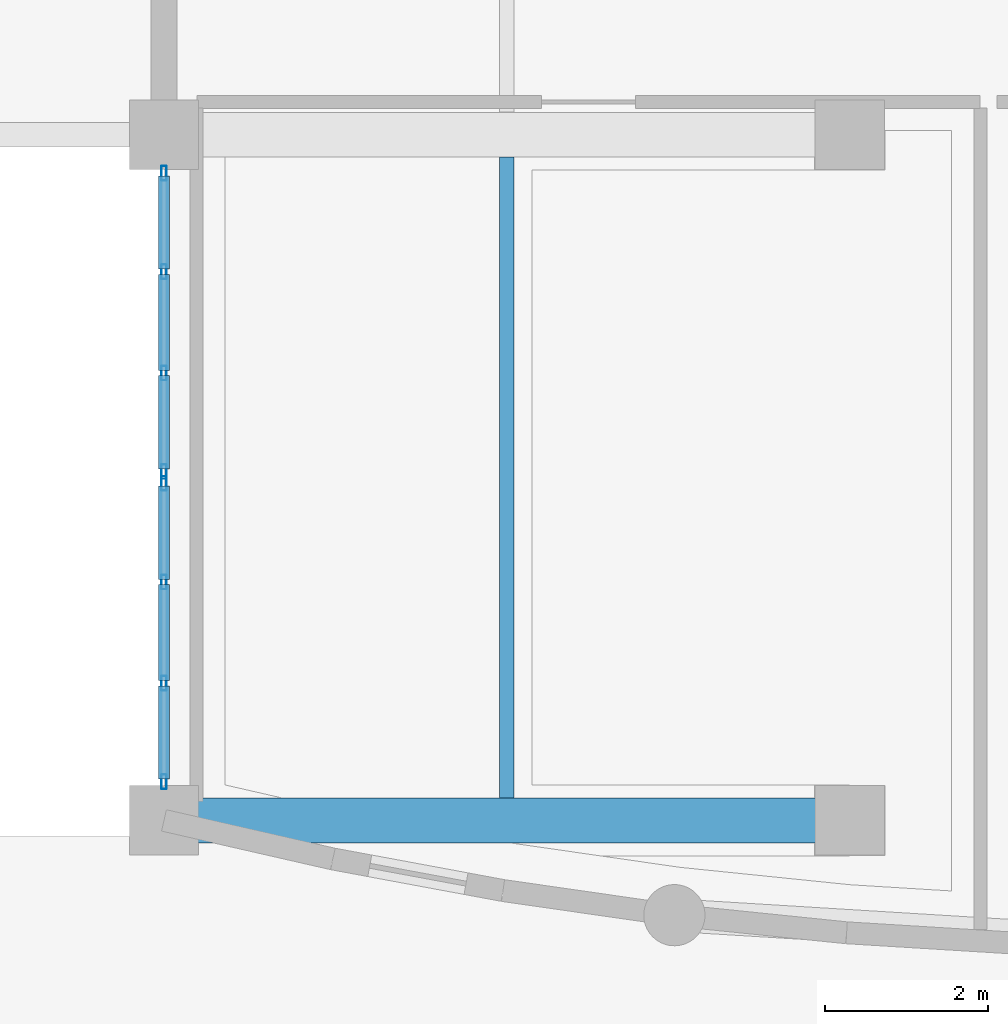
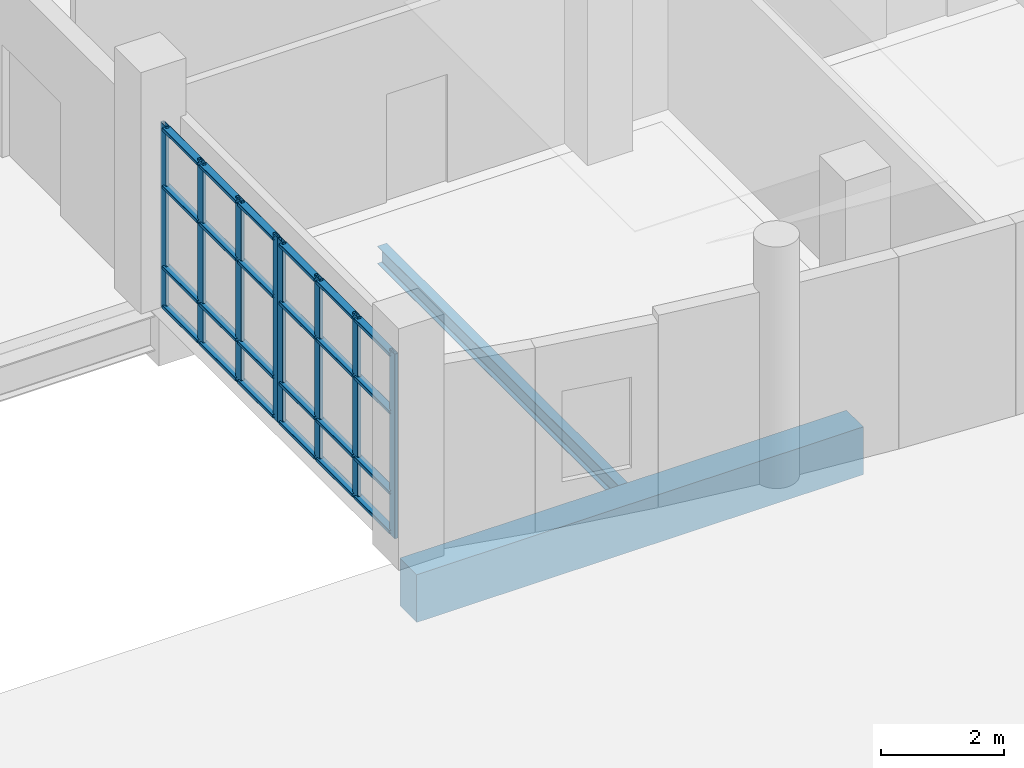
# One storey, part 29 of 97: 32 members, 2 beams, 2 elements without a shape of their own.
"""IFC4 building model written with IfcOpenShell, lengths in metres."""

from ifc_helpers import new_model, si_unit, direction, frame, origin, origin_2d, place, context, subcontext, project, spatial, rectangle, hollow_rectangle, i_section, extrude, material, layer, layer_set, material_profile, profile_set, type_object, element, aggregate, save


model = new_model("IFC4")

# Units and contexts
model_context = context("Model", 3, precision=1e-05, world=origin(), true_north=direction((0.0, 1.0)))
body_context = subcontext(model_context, "Body", "Model", "MODEL_VIEW")
ifc_project = project(units=[si_unit("LENGTHUNIT", "METRE"), si_unit("AREAUNIT", "SQUARE_METRE"), si_unit("VOLUMEUNIT", "CUBIC_METRE"), si_unit("PLANEANGLEUNIT", "RADIAN"), si_unit("MASSUNIT", "GRAM", prefix="KILO")], contexts=[model_context])

# Site, building, storey
site_placement = place(None, origin())
site = spatial("IfcSite", under=ifc_project, at=site_placement, CompositionType="ELEMENT")
building_placement = place(site_placement, origin())
building = spatial("IfcBuilding", under=site, at=building_placement, Name="Kisaragi Civic Commons", CompositionType="ELEMENT")
storey_placement = place(building_placement, origin())
storey = spatial("IfcBuildingStorey", under=building, at=storey_placement, Name="L00", CompositionType="ELEMENT", Elevation=0.0)

# Curtain wall, members
ifc_material_1 = material(Name="Thermally broken anodized aluminium and low-E double glazing", Category="aluminium")
ifc_layer = layer(ifc_material_1, 0.179931640625, Name="Thermally broken anodized aluminium and low-E double glazing", Category="aluminium")
ifc_layer_set = layer_set([ifc_layer], Name="Thermally broken anodized aluminium and low-E double glazing")
curtain_wall_type = type_object("IfcCurtainWallType", Name="CW-01", PredefinedType="NOTDEFINED", material=ifc_layer_set)
curtain_wall_1_placement = place(storey_placement, origin())
curtain_wall_1 = element("IfcCurtainWall", 1, at=curtain_wall_1_placement, inside=storey, type_object=curtain_wall_type, Name="L00 curtain wall CW-01 CW-V4-L00-055", PredefinedType="NOTDEFINED")
ifc_material_profile_1 = material_profile(ifc_material_1, hollow_rectangle(XDim=0.06494140625, YDim=0.179931640625, WallThickness=0.00439453125, InnerFilletRadius=0.00439453125, OuterFilletRadius=0.009033203125, at=origin_2d()), Name="CWM-65x180x4.5", Category="aluminium")
ifc_profile_set_1 = profile_set([ifc_material_profile_1], Name="Thermally broken anodized aluminium and low-E double glazing")
member_type_1 = type_object("IfcMemberType", Name="CWM-02", PredefinedType="MULLION", material=ifc_profile_set_1)
member_1_placement = place(storey_placement, frame((72.0, 96.472412109375, 0.0), z_axis=(0.0, 0.0, 1.0), x_axis=(-1.0, 0.0, 0.0)))
member_1 = element("IfcMember", 2, at=member_1_placement, type_object=member_type_1, Name="CW-01 mullion 1", PredefinedType="MULLION", context=body_context, shape_type="SweptSolid", body=[
    extrude(hollow_rectangle(XDim=0.06494140625, YDim=0.179931640625, WallThickness=0.00439453125, InnerFilletRadius=0.00439453125, OuterFilletRadius=0.009033203125, at=origin_2d()), origin(), (0.0, 0.0, 1.0), 3.669921875),
])
member_2_placement = place(storey_placement, frame((72.0, 97.679931640625, 0.0), z_axis=(0.0, 0.0, 1.0), x_axis=(-1.0, 0.0, 0.0)))
member_2 = element("IfcMember", 3, at=member_2_placement, type_object=member_type_1, Name="CW-01 mullion 2", PredefinedType="MULLION", context=body_context, shape_type="SweptSolid", body=[
    extrude(hollow_rectangle(XDim=0.06494140625, YDim=0.179931640625, WallThickness=0.00439453125, InnerFilletRadius=0.00439453125, OuterFilletRadius=0.009033203125, at=origin_2d()), origin(), (0.0, 0.0, 1.0), 3.669921875),
])
member_3_placement = place(storey_placement, frame((72.0, 98.919921875, 0.0), z_axis=(0.0, 0.0, 1.0), x_axis=(-1.0, 0.0, 0.0)))
member_3 = element("IfcMember", 4, at=member_3_placement, type_object=member_type_1, Name="CW-01 mullion 3", PredefinedType="MULLION", context=body_context, shape_type="SweptSolid", body=[
    extrude(hollow_rectangle(XDim=0.06494140625, YDim=0.179931640625, WallThickness=0.00439453125, InnerFilletRadius=0.00439453125, OuterFilletRadius=0.009033203125, at=origin_2d()), origin(), (0.0, 0.0, 1.0), 3.669921875),
])
member_4_placement = place(storey_placement, frame((72.0, 100.12744140625, 0.0), z_axis=(0.0, 0.0, 1.0), x_axis=(-1.0, 0.0, 0.0)))
member_4 = element("IfcMember", 5, at=member_4_placement, type_object=member_type_1, Name="CW-01 mullion 4", PredefinedType="MULLION", context=body_context, shape_type="SweptSolid", body=[
    extrude(hollow_rectangle(XDim=0.06494140625, YDim=0.179931640625, WallThickness=0.00439453125, InnerFilletRadius=0.00439453125, OuterFilletRadius=0.009033203125, at=origin_2d()), origin(), (0.0, 0.0, 1.0), 3.669921875),
])

curtain_wall_2_placement = place(storey_placement, origin())
curtain_wall_2 = element("IfcCurtainWall", 6, at=curtain_wall_2_placement, inside=storey, type_object=curtain_wall_type, Name="L00 curtain wall CW-01 CW-V4-L00-056", PredefinedType="NOTDEFINED")
member_5_placement = place(storey_placement, frame((72.0, 100.2724609375, 0.0), z_axis=(0.0, 0.0, 1.0), x_axis=(-1.0, 0.0, 0.0)))
member_5 = element("IfcMember", 7, at=member_5_placement, type_object=member_type_1, Name="CW-01 mullion 1", PredefinedType="MULLION", context=body_context, shape_type="SweptSolid", body=[
    extrude(hollow_rectangle(XDim=0.06494140625, YDim=0.179931640625, WallThickness=0.00439453125, InnerFilletRadius=0.00439453125, OuterFilletRadius=0.009033203125, at=origin_2d()), origin(), (0.0, 0.0, 1.0), 3.669921875),
])
member_6_placement = place(storey_placement, frame((72.0, 101.47998046875, 0.0), z_axis=(0.0, 0.0, 1.0), x_axis=(-1.0, 0.0, 0.0)))
member_6 = element("IfcMember", 8, at=member_6_placement, type_object=member_type_1, Name="CW-01 mullion 2", PredefinedType="MULLION", context=body_context, shape_type="SweptSolid", body=[
    extrude(hollow_rectangle(XDim=0.06494140625, YDim=0.179931640625, WallThickness=0.00439453125, InnerFilletRadius=0.00439453125, OuterFilletRadius=0.009033203125, at=origin_2d()), origin(), (0.0, 0.0, 1.0), 3.669921875),
])
member_7_placement = place(storey_placement, frame((72.0, 102.719970703125, 0.0), z_axis=(0.0, 0.0, 1.0), x_axis=(-1.0, 0.0, 0.0)))
member_7 = element("IfcMember", 9, at=member_7_placement, type_object=member_type_1, Name="CW-01 mullion 3", PredefinedType="MULLION", context=body_context, shape_type="SweptSolid", body=[
    extrude(hollow_rectangle(XDim=0.06494140625, YDim=0.179931640625, WallThickness=0.00439453125, InnerFilletRadius=0.00439453125, OuterFilletRadius=0.009033203125, at=origin_2d()), origin(), (0.0, 0.0, 1.0), 3.669921875),
])
member_8_placement = place(storey_placement, frame((72.0, 103.927490234375, 0.0), z_axis=(0.0, 0.0, 1.0), x_axis=(-1.0, 0.0, 0.0)))
member_8 = element("IfcMember", 10, at=member_8_placement, type_object=member_type_1, Name="CW-01 mullion 4", PredefinedType="MULLION", context=body_context, shape_type="SweptSolid", body=[
    extrude(hollow_rectangle(XDim=0.06494140625, YDim=0.179931640625, WallThickness=0.00439453125, InnerFilletRadius=0.00439453125, OuterFilletRadius=0.009033203125, at=origin_2d()), origin(), (0.0, 0.0, 1.0), 3.669921875),
])

# Member
ifc_material_profile_2 = material_profile(ifc_material_1, hollow_rectangle(XDim=0.139892578125, YDim=0.06494140625, WallThickness=0.00439453125, InnerFilletRadius=0.00439453125, OuterFilletRadius=0.009033203125, at=origin_2d()), Name="CWT-65x140x4.5", Category="aluminium")
ifc_profile_set_2 = profile_set([ifc_material_profile_2], Name="Thermally broken anodized aluminium and low-E double glazing")
member_type_2 = type_object("IfcMemberType", Name="CWT-02", PredefinedType="USERDEFINED", material=ifc_profile_set_2)
member_9_placement = place(storey_placement, frame((72.0, 96.5048828125, 0.070068359375), z_axis=(0.0, 1.0, 0.0), x_axis=(-1.0, 0.0, 0.0)))
member_9 = element("IfcMember", 11, at=member_9_placement, type_object=member_type_2, Name="CW-01 transom 1.1", ObjectType="TRANSOM", PredefinedType="USERDEFINED", context=body_context, shape_type="SweptSolid", body=[
    extrude(hollow_rectangle(XDim=0.139892578125, YDim=0.06494140625, WallThickness=0.00439453125, InnerFilletRadius=0.00439453125, OuterFilletRadius=0.009033203125, at=origin_2d()), origin(), (0.0, 0.0, 1.0), 1.142578125),
])

member_10_placement = place(storey_placement, frame((72.0, 96.5048828125, 0.85009765625), z_axis=(0.0, 1.0, 0.0), x_axis=(-1.0, 0.0, 0.0)))
member_10 = element("IfcMember", 12, at=member_10_placement, type_object=member_type_2, Name="CW-01 transom 1.2", ObjectType="TRANSOM", PredefinedType="USERDEFINED", context=body_context, shape_type="SweptSolid", body=[
    extrude(hollow_rectangle(XDim=0.139892578125, YDim=0.06494140625, WallThickness=0.00439453125, InnerFilletRadius=0.00439453125, OuterFilletRadius=0.009033203125, at=origin_2d()), origin(), (0.0, 0.0, 1.0), 1.142578125),
])

member_11_placement = place(storey_placement, frame((72.0, 96.5048828125, 2.449951171875), z_axis=(0.0, 1.0, 0.0), x_axis=(-1.0, 0.0, 0.0)))
member_11 = element("IfcMember", 13, at=member_11_placement, type_object=member_type_2, Name="CW-01 transom 1.3", ObjectType="TRANSOM", PredefinedType="USERDEFINED", context=body_context, shape_type="SweptSolid", body=[
    extrude(hollow_rectangle(XDim=0.139892578125, YDim=0.06494140625, WallThickness=0.00439453125, InnerFilletRadius=0.00439453125, OuterFilletRadius=0.009033203125, at=origin_2d()), origin(), (0.0, 0.0, 1.0), 1.142578125),
])

member_12_placement = place(storey_placement, frame((72.0, 96.5048828125, 3.60009765625), z_axis=(0.0, 1.0, 0.0), x_axis=(-1.0, 0.0, 0.0)))
member_12 = element("IfcMember", 14, at=member_12_placement, type_object=member_type_2, Name="CW-01 transom 1.4", ObjectType="TRANSOM", PredefinedType="USERDEFINED", context=body_context, shape_type="SweptSolid", body=[
    extrude(hollow_rectangle(XDim=0.139892578125, YDim=0.06494140625, WallThickness=0.00439453125, InnerFilletRadius=0.00439453125, OuterFilletRadius=0.009033203125, at=origin_2d()), origin(), (0.0, 0.0, 1.0), 1.142578125),
])

member_13_placement = place(storey_placement, frame((72.0, 97.71240234375, 0.070068359375), z_axis=(0.0, 1.0, 0.0), x_axis=(-1.0, 0.0, 0.0)))
member_13 = element("IfcMember", 15, at=member_13_placement, type_object=member_type_2, Name="CW-01 transom 2.1", ObjectType="TRANSOM", PredefinedType="USERDEFINED", context=body_context, shape_type="SweptSolid", body=[
    extrude(hollow_rectangle(XDim=0.139892578125, YDim=0.06494140625, WallThickness=0.00439453125, InnerFilletRadius=0.00439453125, OuterFilletRadius=0.009033203125, at=origin_2d()), origin(), (0.0, 0.0, 1.0), 1.175048828125),
])

member_14_placement = place(storey_placement, frame((72.0, 97.71240234375, 0.85009765625), z_axis=(0.0, 1.0, 0.0), x_axis=(-1.0, 0.0, 0.0)))
member_14 = element("IfcMember", 16, at=member_14_placement, type_object=member_type_2, Name="CW-01 transom 2.2", ObjectType="TRANSOM", PredefinedType="USERDEFINED", context=body_context, shape_type="SweptSolid", body=[
    extrude(hollow_rectangle(XDim=0.139892578125, YDim=0.06494140625, WallThickness=0.00439453125, InnerFilletRadius=0.00439453125, OuterFilletRadius=0.009033203125, at=origin_2d()), origin(), (0.0, 0.0, 1.0), 1.175048828125),
])

member_15_placement = place(storey_placement, frame((72.0, 97.71240234375, 2.449951171875), z_axis=(0.0, 1.0, 0.0), x_axis=(-1.0, 0.0, 0.0)))
member_15 = element("IfcMember", 17, at=member_15_placement, type_object=member_type_2, Name="CW-01 transom 2.3", ObjectType="TRANSOM", PredefinedType="USERDEFINED", context=body_context, shape_type="SweptSolid", body=[
    extrude(hollow_rectangle(XDim=0.139892578125, YDim=0.06494140625, WallThickness=0.00439453125, InnerFilletRadius=0.00439453125, OuterFilletRadius=0.009033203125, at=origin_2d()), origin(), (0.0, 0.0, 1.0), 1.175048828125),
])

member_16_placement = place(storey_placement, frame((72.0, 97.71240234375, 3.60009765625), z_axis=(0.0, 1.0, 0.0), x_axis=(-1.0, 0.0, 0.0)))
member_16 = element("IfcMember", 18, at=member_16_placement, type_object=member_type_2, Name="CW-01 transom 2.4", ObjectType="TRANSOM", PredefinedType="USERDEFINED", context=body_context, shape_type="SweptSolid", body=[
    extrude(hollow_rectangle(XDim=0.139892578125, YDim=0.06494140625, WallThickness=0.00439453125, InnerFilletRadius=0.00439453125, OuterFilletRadius=0.009033203125, at=origin_2d()), origin(), (0.0, 0.0, 1.0), 1.175048828125),
])

member_17_placement = place(storey_placement, frame((72.0, 98.952392578125, 0.070068359375), z_axis=(0.0, 1.0, 0.0), x_axis=(-1.0, 0.0, 0.0)))
member_17 = element("IfcMember", 19, at=member_17_placement, type_object=member_type_2, Name="CW-01 transom 3.1", ObjectType="TRANSOM", PredefinedType="USERDEFINED", context=body_context, shape_type="SweptSolid", body=[
    extrude(hollow_rectangle(XDim=0.139892578125, YDim=0.06494140625, WallThickness=0.00439453125, InnerFilletRadius=0.00439453125, OuterFilletRadius=0.009033203125, at=origin_2d()), origin(), (0.0, 0.0, 1.0), 1.142578125),
])

member_18_placement = place(storey_placement, frame((72.0, 98.952392578125, 0.85009765625), z_axis=(0.0, 1.0, 0.0), x_axis=(-1.0, 0.0, 0.0)))
member_18 = element("IfcMember", 20, at=member_18_placement, type_object=member_type_2, Name="CW-01 transom 3.2", ObjectType="TRANSOM", PredefinedType="USERDEFINED", context=body_context, shape_type="SweptSolid", body=[
    extrude(hollow_rectangle(XDim=0.139892578125, YDim=0.06494140625, WallThickness=0.00439453125, InnerFilletRadius=0.00439453125, OuterFilletRadius=0.009033203125, at=origin_2d()), origin(), (0.0, 0.0, 1.0), 1.142578125),
])

member_19_placement = place(storey_placement, frame((72.0, 98.952392578125, 2.449951171875), z_axis=(0.0, 1.0, 0.0), x_axis=(-1.0, 0.0, 0.0)))
member_19 = element("IfcMember", 21, at=member_19_placement, type_object=member_type_2, Name="CW-01 transom 3.3", ObjectType="TRANSOM", PredefinedType="USERDEFINED", context=body_context, shape_type="SweptSolid", body=[
    extrude(hollow_rectangle(XDim=0.139892578125, YDim=0.06494140625, WallThickness=0.00439453125, InnerFilletRadius=0.00439453125, OuterFilletRadius=0.009033203125, at=origin_2d()), origin(), (0.0, 0.0, 1.0), 1.142578125),
])

member_20_placement = place(storey_placement, frame((72.0, 98.952392578125, 3.60009765625), z_axis=(0.0, 1.0, 0.0), x_axis=(-1.0, 0.0, 0.0)))
member_20 = element("IfcMember", 22, at=member_20_placement, type_object=member_type_2, Name="CW-01 transom 3.4", ObjectType="TRANSOM", PredefinedType="USERDEFINED", context=body_context, shape_type="SweptSolid", body=[
    extrude(hollow_rectangle(XDim=0.139892578125, YDim=0.06494140625, WallThickness=0.00439453125, InnerFilletRadius=0.00439453125, OuterFilletRadius=0.009033203125, at=origin_2d()), origin(), (0.0, 0.0, 1.0), 1.142578125),
])

aggregate(curtain_wall_1, [member_1, member_2, member_3, member_4, member_9, member_10, member_11, member_12, member_13, member_14, member_15, member_16, member_17, member_18, member_19, member_20])

member_21_placement = place(storey_placement, frame((72.0, 100.304931640625, 0.070068359375), z_axis=(0.0, 1.0, 0.0), x_axis=(-1.0, 0.0, 0.0)))
member_21 = element("IfcMember", 23, at=member_21_placement, type_object=member_type_2, Name="CW-01 transom 1.1", ObjectType="TRANSOM", PredefinedType="USERDEFINED", context=body_context, shape_type="SweptSolid", body=[
    extrude(hollow_rectangle(XDim=0.139892578125, YDim=0.06494140625, WallThickness=0.00439453125, InnerFilletRadius=0.00439453125, OuterFilletRadius=0.009033203125, at=origin_2d()), origin(), (0.0, 0.0, 1.0), 1.142578125),
])

member_22_placement = place(storey_placement, frame((72.0, 100.304931640625, 0.85009765625), z_axis=(0.0, 1.0, 0.0), x_axis=(-1.0, 0.0, 0.0)))
member_22 = element("IfcMember", 24, at=member_22_placement, type_object=member_type_2, Name="CW-01 transom 1.2", ObjectType="TRANSOM", PredefinedType="USERDEFINED", context=body_context, shape_type="SweptSolid", body=[
    extrude(hollow_rectangle(XDim=0.139892578125, YDim=0.06494140625, WallThickness=0.00439453125, InnerFilletRadius=0.00439453125, OuterFilletRadius=0.009033203125, at=origin_2d()), origin(), (0.0, 0.0, 1.0), 1.142578125),
])

member_23_placement = place(storey_placement, frame((72.0, 100.304931640625, 2.449951171875), z_axis=(0.0, 1.0, 0.0), x_axis=(-1.0, 0.0, 0.0)))
member_23 = element("IfcMember", 25, at=member_23_placement, type_object=member_type_2, Name="CW-01 transom 1.3", ObjectType="TRANSOM", PredefinedType="USERDEFINED", context=body_context, shape_type="SweptSolid", body=[
    extrude(hollow_rectangle(XDim=0.139892578125, YDim=0.06494140625, WallThickness=0.00439453125, InnerFilletRadius=0.00439453125, OuterFilletRadius=0.009033203125, at=origin_2d()), origin(), (0.0, 0.0, 1.0), 1.142578125),
])

member_24_placement = place(storey_placement, frame((72.0, 100.304931640625, 3.60009765625), z_axis=(0.0, 1.0, 0.0), x_axis=(-1.0, 0.0, 0.0)))
member_24 = element("IfcMember", 26, at=member_24_placement, type_object=member_type_2, Name="CW-01 transom 1.4", ObjectType="TRANSOM", PredefinedType="USERDEFINED", context=body_context, shape_type="SweptSolid", body=[
    extrude(hollow_rectangle(XDim=0.139892578125, YDim=0.06494140625, WallThickness=0.00439453125, InnerFilletRadius=0.00439453125, OuterFilletRadius=0.009033203125, at=origin_2d()), origin(), (0.0, 0.0, 1.0), 1.142578125),
])

member_25_placement = place(storey_placement, frame((72.0, 101.512451171875, 0.070068359375), z_axis=(0.0, 1.0, 0.0), x_axis=(-1.0, 0.0, 0.0)))
member_25 = element("IfcMember", 27, at=member_25_placement, type_object=member_type_2, Name="CW-01 transom 2.1", ObjectType="TRANSOM", PredefinedType="USERDEFINED", context=body_context, shape_type="SweptSolid", body=[
    extrude(hollow_rectangle(XDim=0.139892578125, YDim=0.06494140625, WallThickness=0.00439453125, InnerFilletRadius=0.00439453125, OuterFilletRadius=0.009033203125, at=origin_2d()), origin(), (0.0, 0.0, 1.0), 1.175048828125),
])

member_26_placement = place(storey_placement, frame((72.0, 101.512451171875, 0.85009765625), z_axis=(0.0, 1.0, 0.0), x_axis=(-1.0, 0.0, 0.0)))
member_26 = element("IfcMember", 28, at=member_26_placement, type_object=member_type_2, Name="CW-01 transom 2.2", ObjectType="TRANSOM", PredefinedType="USERDEFINED", context=body_context, shape_type="SweptSolid", body=[
    extrude(hollow_rectangle(XDim=0.139892578125, YDim=0.06494140625, WallThickness=0.00439453125, InnerFilletRadius=0.00439453125, OuterFilletRadius=0.009033203125, at=origin_2d()), origin(), (0.0, 0.0, 1.0), 1.175048828125),
])

member_27_placement = place(storey_placement, frame((72.0, 101.512451171875, 2.449951171875), z_axis=(0.0, 1.0, 0.0), x_axis=(-1.0, 0.0, 0.0)))
member_27 = element("IfcMember", 29, at=member_27_placement, type_object=member_type_2, Name="CW-01 transom 2.3", ObjectType="TRANSOM", PredefinedType="USERDEFINED", context=body_context, shape_type="SweptSolid", body=[
    extrude(hollow_rectangle(XDim=0.139892578125, YDim=0.06494140625, WallThickness=0.00439453125, InnerFilletRadius=0.00439453125, OuterFilletRadius=0.009033203125, at=origin_2d()), origin(), (0.0, 0.0, 1.0), 1.175048828125),
])

member_28_placement = place(storey_placement, frame((72.0, 101.512451171875, 3.60009765625), z_axis=(0.0, 1.0, 0.0), x_axis=(-1.0, 0.0, 0.0)))
member_28 = element("IfcMember", 30, at=member_28_placement, type_object=member_type_2, Name="CW-01 transom 2.4", ObjectType="TRANSOM", PredefinedType="USERDEFINED", context=body_context, shape_type="SweptSolid", body=[
    extrude(hollow_rectangle(XDim=0.139892578125, YDim=0.06494140625, WallThickness=0.00439453125, InnerFilletRadius=0.00439453125, OuterFilletRadius=0.009033203125, at=origin_2d()), origin(), (0.0, 0.0, 1.0), 1.175048828125),
])

member_29_placement = place(storey_placement, frame((72.0, 102.75244140625, 0.070068359375), z_axis=(0.0, 1.0, 0.0), x_axis=(-1.0, 0.0, 0.0)))
member_29 = element("IfcMember", 31, at=member_29_placement, type_object=member_type_2, Name="CW-01 transom 3.1", ObjectType="TRANSOM", PredefinedType="USERDEFINED", context=body_context, shape_type="SweptSolid", body=[
    extrude(hollow_rectangle(XDim=0.139892578125, YDim=0.06494140625, WallThickness=0.00439453125, InnerFilletRadius=0.00439453125, OuterFilletRadius=0.009033203125, at=origin_2d()), origin(), (0.0, 0.0, 1.0), 1.142578125),
])

member_30_placement = place(storey_placement, frame((72.0, 102.75244140625, 0.85009765625), z_axis=(0.0, 1.0, 0.0), x_axis=(-1.0, 0.0, 0.0)))
member_30 = element("IfcMember", 32, at=member_30_placement, type_object=member_type_2, Name="CW-01 transom 3.2", ObjectType="TRANSOM", PredefinedType="USERDEFINED", context=body_context, shape_type="SweptSolid", body=[
    extrude(hollow_rectangle(XDim=0.139892578125, YDim=0.06494140625, WallThickness=0.00439453125, InnerFilletRadius=0.00439453125, OuterFilletRadius=0.009033203125, at=origin_2d()), origin(), (0.0, 0.0, 1.0), 1.142578125),
])

member_31_placement = place(storey_placement, frame((72.0, 102.75244140625, 2.449951171875), z_axis=(0.0, 1.0, 0.0), x_axis=(-1.0, 0.0, 0.0)))
member_31 = element("IfcMember", 33, at=member_31_placement, type_object=member_type_2, Name="CW-01 transom 3.3", ObjectType="TRANSOM", PredefinedType="USERDEFINED", context=body_context, shape_type="SweptSolid", body=[
    extrude(hollow_rectangle(XDim=0.139892578125, YDim=0.06494140625, WallThickness=0.00439453125, InnerFilletRadius=0.00439453125, OuterFilletRadius=0.009033203125, at=origin_2d()), origin(), (0.0, 0.0, 1.0), 1.142578125),
])

member_32_placement = place(storey_placement, frame((72.0, 102.75244140625, 3.60009765625), z_axis=(0.0, 1.0, 0.0), x_axis=(-1.0, 0.0, 0.0)))
member_32 = element("IfcMember", 34, at=member_32_placement, type_object=member_type_2, Name="CW-01 transom 3.4", ObjectType="TRANSOM", PredefinedType="USERDEFINED", context=body_context, shape_type="SweptSolid", body=[
    extrude(hollow_rectangle(XDim=0.139892578125, YDim=0.06494140625, WallThickness=0.00439453125, InnerFilletRadius=0.00439453125, OuterFilletRadius=0.009033203125, at=origin_2d()), origin(), (0.0, 0.0, 1.0), 1.142578125),
])

aggregate(curtain_wall_2, [member_5, member_6, member_7, member_8, member_21, member_22, member_23, member_24, member_25, member_26, member_27, member_28, member_29, member_30, member_31, member_32])

# Beams
ifc_material_2 = material(Name="Concrete Fc36", Category="concrete")
ifc_material_profile_3 = material_profile(ifc_material_2, rectangle(XDim=0.550048828125, YDim=0.949951171875, at=origin_2d()), Name="RC-550x950", Category="concrete")
ifc_profile_set_3 = profile_set([ifc_material_profile_3], Name="Concrete Fc36")
beam_type_1 = type_object("IfcBeamType", Name="G-01", PredefinedType="BEAM", material=ifc_profile_set_3)
beam_1_placement = place(storey_placement, frame((72.0, 96.0, -0.800048828125), z_axis=(1.0, 0.0, 0.0), x_axis=(0.0, 1.0, 0.0)))
element("IfcBeam", 35, at=beam_1_placement, inside=storey, type_object=beam_type_1, Name="L00 girder G-01 111", PredefinedType="BEAM", context=body_context, shape_type="SweptSolid", body=[
    extrude(rectangle(XDim=0.550048828125, YDim=0.949951171875, at=origin_2d()), origin(), (0.0, 0.0, 1.0), 8.39990234375),
])
ifc_material_3 = material(Name="Steel SN400 (SN400B)", Category="steel")
ifc_material_profile_4 = material_profile(ifc_material_3, i_section(OverallWidth=0.175048828125, OverallDepth=0.35009765625, WebThickness=0.007080078125, FlangeThickness=0.010986328125, FilletRadius=0.012939453125, at=origin_2d()), Name="H-350x175x7x11", Category="steel")
ifc_profile_set_4 = profile_set([ifc_material_profile_4], Name="Steel SN400 (SN400B)")
beam_type_2 = type_object("IfcBeamType", Name="J-02", PredefinedType="JOIST", material=ifc_profile_set_4)
beam_2_placement = place(storey_placement, frame((76.199951171875, 96.27490234375, -0.5), z_axis=(0.0, 1.0, 0.0), x_axis=(-1.0, 0.0, 0.0)))
element("IfcBeam", 36, at=beam_2_placement, inside=storey, type_object=beam_type_2, Name="L00 secondary steel joist J-02 30", PredefinedType="JOIST", context=body_context, shape_type="SweptSolid", body=[
    extrude(i_section(OverallWidth=0.175048828125, OverallDepth=0.35009765625, WebThickness=0.007080078125, FlangeThickness=0.010986328125, FilletRadius=0.012939453125, at=origin_2d()), origin(), (0.0, 0.0, 1.0), 7.85009765625),
])

save(model, "model.ifc")
